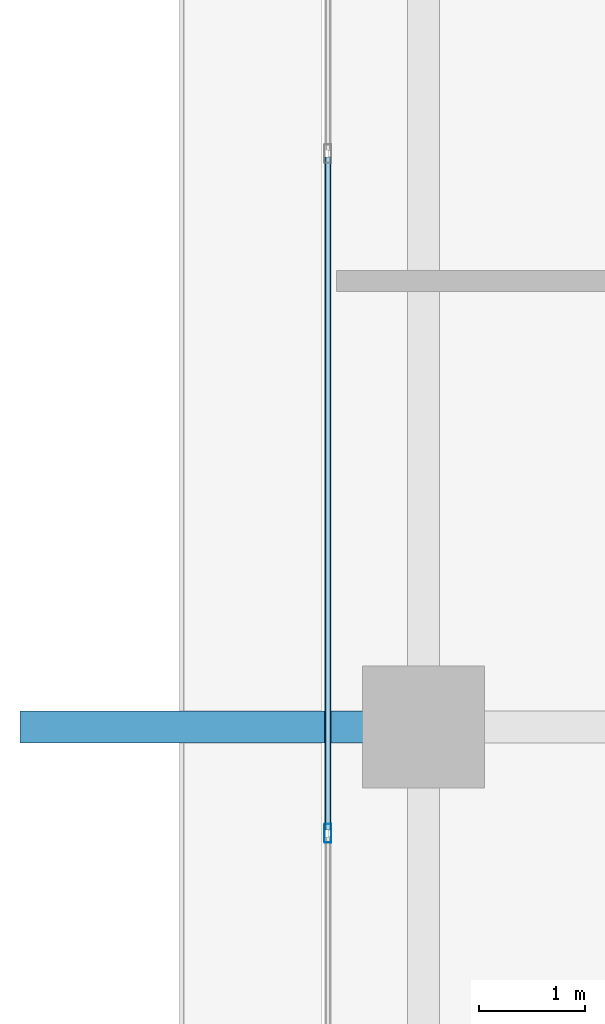
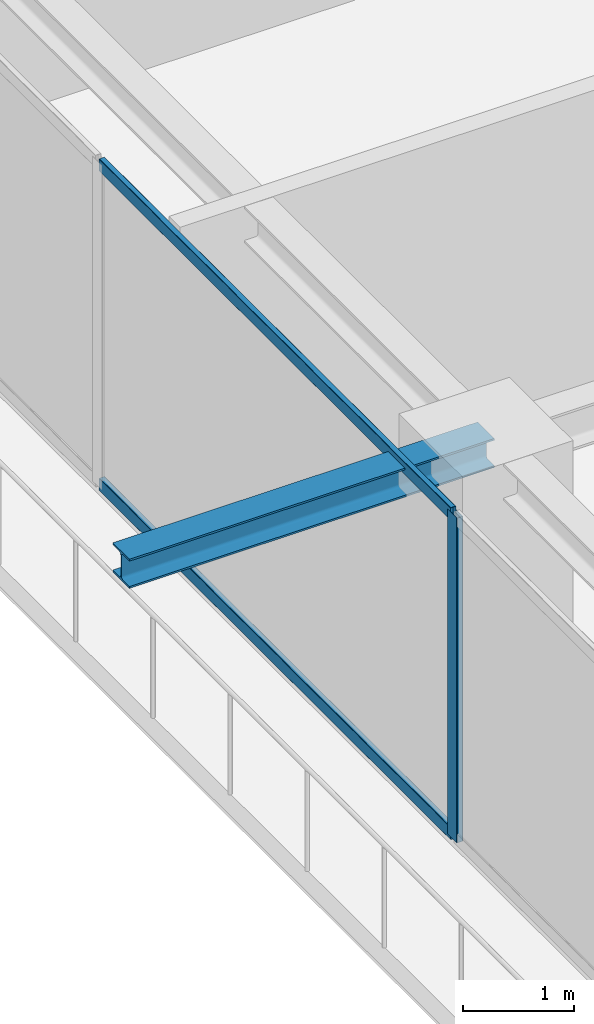
# One storey, part 9 of 38: 3 members, 1 beam, 1 element without a shape of its own.
"""IFC4 building model written with IfcOpenShell, lengths in metres."""

from ifc_helpers import new_model, si_unit, direction, frame, origin, origin_2d, place, context, subcontext, project, spatial, hollow_rectangle, i_section, extrude, source, transform, mapped, material, layer, layer_set, material_profile, profile_set, type_object, element, aggregate, save


model = new_model("IFC4")

# Units and contexts
model_context = context("Model", 3, precision=1e-05, world=origin(), true_north=direction((0.0, 1.0)))
body_context = subcontext(model_context, "Body", "Model", "MODEL_VIEW")
ifc_project = project(units=[si_unit("LENGTHUNIT", "METRE"), si_unit("AREAUNIT", "SQUARE_METRE"), si_unit("VOLUMEUNIT", "CUBIC_METRE"), si_unit("PLANEANGLEUNIT", "RADIAN"), si_unit("MASSUNIT", "GRAM", prefix="KILO")], contexts=[model_context])

# Site, building, storey
site_placement = place(None, origin())
site = spatial("IfcSite", under=ifc_project, at=site_placement, CompositionType="ELEMENT")
building_placement = place(site_placement, origin())
building = spatial("IfcBuilding", under=site, at=building_placement, Name="Serunith Strait Residences", CompositionType="ELEMENT")
storey_placement = place(building_placement, frame((0.0, 0.0, 264.35009765625)))
storey = spatial("IfcBuildingStorey", under=building, at=storey_placement, Name="L66", CompositionType="ELEMENT", Elevation=264.35009765625)

# Beam
ifc_material_1 = material(Name="Steel S355J2", Category="steel")
ifc_material_profile_1 = material_profile(ifc_material_1, i_section(OverallWidth=0.300048828125, OverallDepth=0.320068359375, WebThickness=0.011474609375, FlangeThickness=0.0205078125, FilletRadius=0.027099609375, at=origin_2d()), Name="HEB 320")
ifc_profile_set_1 = profile_set([ifc_material_profile_1], Name="Steel S355J2")
beam_type = type_object("IfcBeamType", Name="BM-HEB320", PredefinedType="BEAM", material=ifc_profile_set_1)
shared_shape_1 = source(origin(), body_context, "Body", "SweptSolid", [
    extrude(i_section(OverallWidth=0.300048828125, OverallDepth=0.320068359375, WebThickness=0.011474609375, FlangeThickness=0.0205078125, FilletRadius=0.027099609375, at=origin_2d()), origin(), (0.0, 0.0, 1.0), 3.800048828125),
])
beam_placement = place(storey_placement, frame((8.300048828125, 29.39990234375, 3.39697265625), z_axis=(-1.0, 0.0, 0.0), x_axis=(0.0, -1.0, 0.0)))
element("IfcBeam", 1, at=beam_placement, inside=storey, type_object=beam_type, Name="L67 Cantilevered Balcony Rib TC-W3", PredefinedType="BEAM", context=body_context, shape_type="MappedRepresentation", body=[
    mapped(shared_shape_1, transform((0.0, 0.0, 0.0), scale=1.0)),
])

# Curtain wall, members
ifc_material_2 = material(Name="Pale-Champagne Anodised Aluminium", Category="aluminium")
ifc_layer = layer(ifc_material_2, 0.199951171875, Name="Pale-Champagne Anodised Aluminium")
ifc_layer_set = layer_set([ifc_layer], Name="Pale-Champagne Anodised Aluminium")
curtain_wall_type = type_object("IfcCurtainWallType", Name="CW-SYS4", PredefinedType="NOTDEFINED", material=ifc_layer_set)
curtain_wall_placement = place(storey_placement, origin())
curtain_wall = element("IfcCurtainWall", 2, at=curtain_wall_placement, inside=storey, type_object=curtain_wall_type, Name="L66 W Unitised Fritted Curtain Wall", PredefinedType="NOTDEFINED")
ifc_material_profile_2 = material_profile(ifc_material_2, hollow_rectangle(XDim=0.06494140625, YDim=0.179931640625, WallThickness=0.00341796875, InnerFilletRadius=0.00537109375, OuterFilletRadius=0.0087890625, at=origin_2d()), Name="ALU 180x65x3.5")
ifc_profile_set_2 = profile_set([ifc_material_profile_2], Name="Pale-Champagne Anodised Aluminium")
member_type_1 = type_object("IfcMemberType", Name="CW-SYS4-MULL", PredefinedType="MULLION", material=ifc_profile_set_2)
shared_shape_2 = source(origin(), body_context, "Body", "SweptSolid", [
    extrude(hollow_rectangle(XDim=0.06494140625, YDim=0.179931640625, WallThickness=0.00341796875, InnerFilletRadius=0.00537109375, OuterFilletRadius=0.0087890625, at=origin_2d()), origin(), (0.0, 0.0, 1.0), 3.574951171875),
])
member_1_placement = place(storey_placement, frame((7.39990234375, 28.39990234375, 0.0), z_axis=(0.0, 0.0, 1.0), x_axis=(1.0, 0.0, 0.0)))
member_1 = element("IfcMember", 3, at=member_1_placement, type_object=member_type_1, Name="CW-4 mullion 3", PredefinedType="MULLION", context=body_context, shape_type="MappedRepresentation", body=[
    mapped(shared_shape_2, transform((0.0, 0.0, 0.0), scale=1.0)),
])
ifc_material_profile_3 = material_profile(ifc_material_2, hollow_rectangle(XDim=0.06005859375, YDim=0.139892578125, WallThickness=0.00341796875, InnerFilletRadius=0.00537109375, OuterFilletRadius=0.0087890625, at=origin_2d()), Name="ALU 140x60x3.5")
ifc_profile_set_3 = profile_set([ifc_material_profile_3], Name="Pale-Champagne Anodised Aluminium")
member_type_2 = type_object("IfcMemberType", Name="CW-SYS4-TRAN", PredefinedType="USERDEFINED", material=ifc_profile_set_3)
shared_shape_3 = source(origin(), body_context, "Body", "SweptSolid", [
    extrude(hollow_rectangle(XDim=0.06005859375, YDim=0.139892578125, WallThickness=0.00341796875, InnerFilletRadius=0.00537109375, OuterFilletRadius=0.0087890625, at=origin_2d()), origin(), (0.0, 0.0, 1.0), 6.3349609375),
])
member_2_placement = place(storey_placement, frame((7.39990234375, 34.767578125, 0.02978515625), z_axis=(0.0, -1.0, 0.0), x_axis=(1.0, 0.0, 0.0)))
member_2 = element("IfcMember", 4, at=member_2_placement, type_object=member_type_2, Name="CW-4 transom 2.1", ObjectType="TRANSOM", PredefinedType="USERDEFINED", context=body_context, shape_type="MappedRepresentation", body=[
    mapped(shared_shape_3, transform((0.0, 0.0, 0.0), scale=1.0)),
])
member_3_placement = place(storey_placement, frame((7.39990234375, 34.767578125, 3.544921875), z_axis=(0.0, -1.0, 0.0), x_axis=(1.0, 0.0, 0.0)))
member_3 = element("IfcMember", 5, at=member_3_placement, type_object=member_type_2, Name="CW-4 transom 2.2", ObjectType="TRANSOM", PredefinedType="USERDEFINED", context=body_context, shape_type="MappedRepresentation", body=[
    mapped(shared_shape_3, transform((0.0, 0.0, 0.0), scale=1.0)),
])
aggregate(curtain_wall, [member_1, member_2, member_3])

save(model, "model.ifc")
